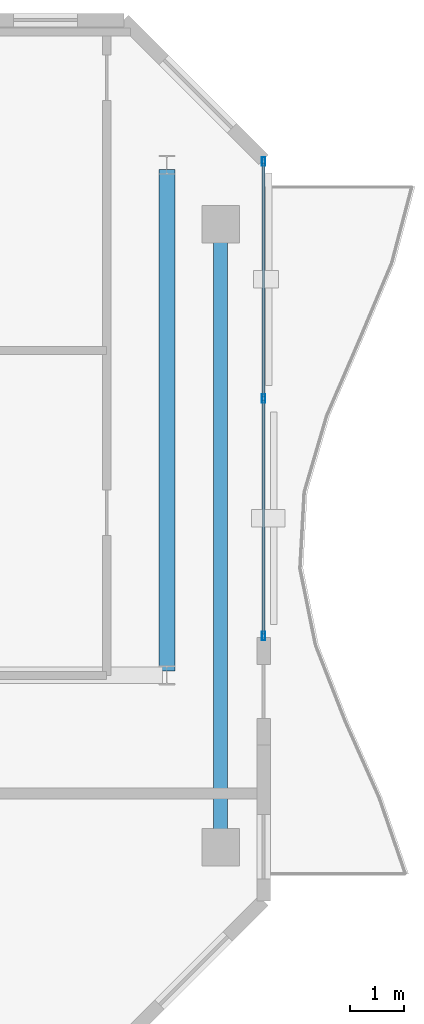
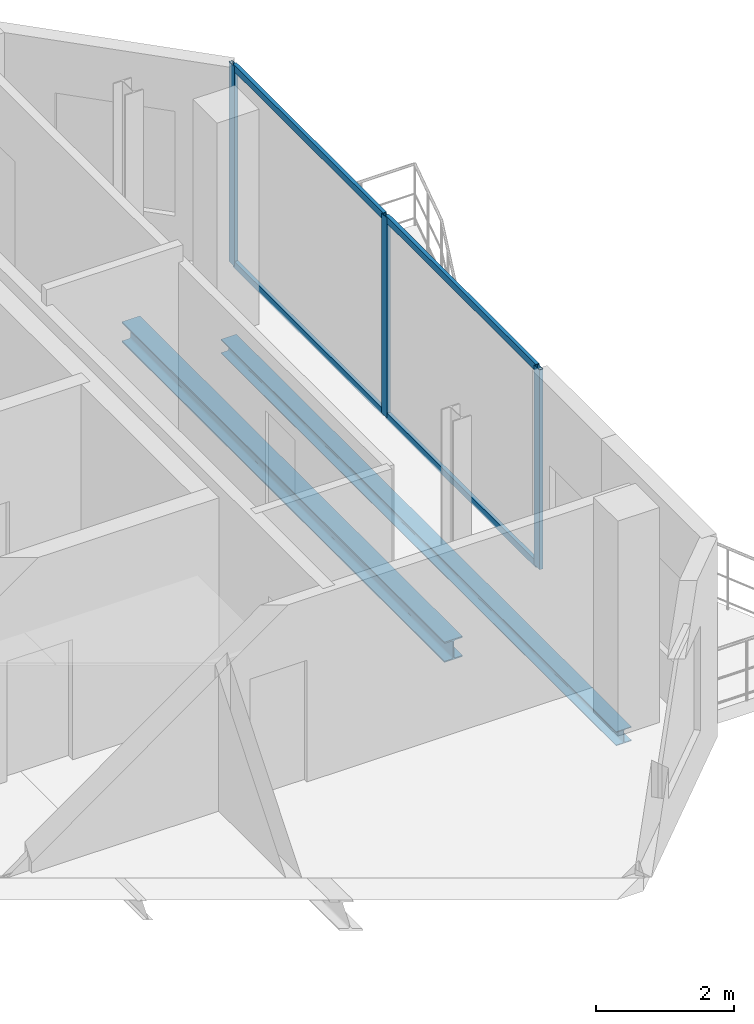
# One storey, part 11 of 17: 7 members, 2 beams, 1 element without a shape of its own.
"""IFC4 building model written with IfcOpenShell, lengths in metres."""

from ifc_helpers import new_model, si_unit, direction, frame, origin, origin_2d, place, context, subcontext, project, spatial, hollow_rectangle, i_section, extrude, material, layer, layer_set, material_profile, profile_set, type_object, element, aggregate, save


model = new_model("IFC4")

# Units and contexts
model_context = context("Model", 3, precision=1e-05, world=origin(), true_north=direction((0.0, 1.0)))
body_context = subcontext(model_context, "Body", "Model", "MODEL_VIEW")
ifc_project = project(units=[si_unit("LENGTHUNIT", "METRE"), si_unit("AREAUNIT", "SQUARE_METRE"), si_unit("VOLUMEUNIT", "CUBIC_METRE"), si_unit("PLANEANGLEUNIT", "RADIAN"), si_unit("MASSUNIT", "GRAM", prefix="KILO")], contexts=[model_context])

# Site, building, storey
site_placement = place(None, origin())
site = spatial("IfcSite", under=ifc_project, at=site_placement, CompositionType="ELEMENT")
building_placement = place(site_placement, origin())
building = spatial("IfcBuilding", under=site, at=building_placement, Name="Catumbela Crestline Tower", CompositionType="ELEMENT")
storey_placement = place(building_placement, frame((0.0, 0.0, 283.0)))
storey = spatial("IfcBuildingStorey", under=building, at=storey_placement, Name="L73", CompositionType="ELEMENT", Elevation=283.0)

# Beam
ifc_material_1 = material(Name="Structural steel S355J2", Category="steel")
ifc_material_profile_1 = material_profile(ifc_material_1, i_section(OverallWidth=0.3, OverallDepth=0.36, WebThickness=0.0125, FlangeThickness=0.0225, FilletRadius=0.027, at=origin_2d()), Name="HEB 360")
ifc_profile_set_1 = profile_set([ifc_material_profile_1], Name="Structural steel S355J2")
beam_type_1 = type_object("IfcBeamType", Name="BG-HEB360", PredefinedType="BEAM", material=ifc_profile_set_1)
beam_1_placement = place(storey_placement, frame((44.2, 30.88, -0.44), z_axis=(0.0, 1.0, 0.0), x_axis=(-1.0, 0.0, 0.0)))
element("IfcBeam", 1, at=beam_1_placement, inside=storey, type_object=beam_type_1, Name="L73 Beam BM-L73-SN10", PredefinedType="BEAM", context=body_context, shape_type="SweptSolid", body=[
    extrude(i_section(OverallWidth=0.3, OverallDepth=0.36, WebThickness=0.0125, FlangeThickness=0.0225, FilletRadius=0.027, at=origin_2d()), origin(), (0.0, 0.0, 1.0), 9.34),
])

# Curtain wall, members
ifc_material_2 = material(Name="Aluminium alloy AW-6060-T66", Category="aluminium")
ifc_layer = layer(ifc_material_2, 0.18, Name="Aluminium alloy AW-6060-T66")
ifc_layer_set = layer_set([ifc_layer], Name="Aluminium alloy AW-6060-T66")
curtain_wall_type = type_object("IfcCurtainWallType", Name="CWU-Z4", PredefinedType="USERDEFINED", material=ifc_layer_set)
curtain_wall_placement = place(storey_placement, origin())
curtain_wall = element("IfcCurtainWall", 2, at=curtain_wall_placement, inside=storey, type_object=curtain_wall_type, Name="L73 Unitised Curtain Wall CW-L73-E5S2", ObjectType="UNITISED", PredefinedType="USERDEFINED")
ifc_material_profile_2 = material_profile(ifc_material_2, hollow_rectangle(XDim=0.06, YDim=0.16, WallThickness=0.004, at=origin_2d()), Name="ALU 160x60x4")
ifc_profile_set_2 = profile_set([ifc_material_profile_2], Name="Aluminium alloy AW-6060-T66")
member_type_1 = type_object("IfcMemberType", Name="MUL-160X60", PredefinedType="MULLION", material=ifc_profile_set_2)
member_1_placement = place(storey_placement, frame((46.0, 31.5325, 0.0), z_axis=(0.0, 0.0, 1.0), x_axis=(-1.0, 0.0, 0.0)))
member_1 = element("IfcMember", 3, at=member_1_placement, type_object=member_type_1, Name="CWU-Z4 mullion 1", PredefinedType="MULLION", context=body_context, shape_type="SweptSolid", body=[
    extrude(hollow_rectangle(XDim=0.06, YDim=0.16, WallThickness=0.004, at=origin_2d()), origin(), (0.0, 0.0, 1.0), 3.53),
])
member_2_placement = place(storey_placement, frame((46.0, 35.95, 0.0), z_axis=(0.0, 0.0, 1.0), x_axis=(-1.0, 0.0, 0.0)))
member_2 = element("IfcMember", 4, at=member_2_placement, type_object=member_type_1, Name="CWU-Z4 mullion 2", PredefinedType="MULLION", context=body_context, shape_type="SweptSolid", body=[
    extrude(hollow_rectangle(XDim=0.06, YDim=0.16, WallThickness=0.004, at=origin_2d()), origin(), (0.0, 0.0, 1.0), 3.53),
])
member_3_placement = place(storey_placement, frame((46.0, 40.3675, 0.0), z_axis=(0.0, 0.0, 1.0), x_axis=(-1.0, 0.0, 0.0)))
member_3 = element("IfcMember", 5, at=member_3_placement, type_object=member_type_1, Name="CWU-Z4 mullion 3", PredefinedType="MULLION", context=body_context, shape_type="SweptSolid", body=[
    extrude(hollow_rectangle(XDim=0.06, YDim=0.16, WallThickness=0.004, at=origin_2d()), origin(), (0.0, 0.0, 1.0), 3.53),
])

# Beam
ifc_material_profile_3 = material_profile(ifc_material_1, i_section(OverallWidth=0.26, OverallDepth=0.25, WebThickness=0.0075, FlangeThickness=0.0125, FilletRadius=0.024, at=origin_2d()), Name="HEA 260")
ifc_profile_set_3 = profile_set([ifc_material_profile_3], Name="Structural steel S355J2")
beam_type_2 = type_object("IfcBeamType", Name="BS-HEA260", PredefinedType="SPANDREL", material=ifc_profile_set_3)
beam_2_placement = place(storey_placement, frame((45.2, 27.68, -0.385), z_axis=(0.0, 1.0, 0.0), x_axis=(-1.0, 0.0, 0.0)))
element("IfcBeam", 6, at=beam_2_placement, inside=storey, type_object=beam_type_2, Name="L73 Spandrel SP-L73-SN11", PredefinedType="SPANDREL", context=body_context, shape_type="SweptSolid", body=[
    extrude(i_section(OverallWidth=0.26, OverallDepth=0.25, WebThickness=0.0075, FlangeThickness=0.0125, FilletRadius=0.024, at=origin_2d()), origin(), (0.0, 0.0, 1.0), 11.44),
])

# Member
ifc_material_profile_4 = material_profile(ifc_material_2, hollow_rectangle(XDim=0.06, YDim=0.12, WallThickness=0.0035, at=origin_2d()), Name="ALU 120x60x3.5")
ifc_profile_set_4 = profile_set([ifc_material_profile_4], Name="Aluminium alloy AW-6060-T66")
member_type_2 = type_object("IfcMemberType", Name="TRN-120X60", PredefinedType="USERDEFINED", material=ifc_profile_set_4)
member_4_placement = place(storey_placement, frame((46.0, 31.565, 0.03), z_axis=(0.0, 1.0, 0.0), x_axis=(-1.0, 0.0, 0.0)))
member_4 = element("IfcMember", 7, at=member_4_placement, type_object=member_type_2, Name="CWU-Z4 transom 1.1", ObjectType="TRANSOM", PredefinedType="USERDEFINED", context=body_context, shape_type="SweptSolid", body=[
    extrude(hollow_rectangle(XDim=0.06, YDim=0.12, WallThickness=0.0035, at=origin_2d()), origin(), (0.0, 0.0, 1.0), 4.3525),
])

member_5_placement = place(storey_placement, frame((46.0, 31.565, 3.5), z_axis=(0.0, 1.0, 0.0), x_axis=(-1.0, 0.0, 0.0)))
member_5 = element("IfcMember", 8, at=member_5_placement, type_object=member_type_2, Name="CWU-Z4 transom 1.2", ObjectType="TRANSOM", PredefinedType="USERDEFINED", context=body_context, shape_type="SweptSolid", body=[
    extrude(hollow_rectangle(XDim=0.06, YDim=0.12, WallThickness=0.0035, at=origin_2d()), origin(), (0.0, 0.0, 1.0), 4.3525),
])

member_6_placement = place(storey_placement, frame((46.0, 35.9825, 0.03), z_axis=(0.0, 1.0, 0.0), x_axis=(-1.0, 0.0, 0.0)))
member_6 = element("IfcMember", 9, at=member_6_placement, type_object=member_type_2, Name="CWU-Z4 transom 2.1", ObjectType="TRANSOM", PredefinedType="USERDEFINED", context=body_context, shape_type="SweptSolid", body=[
    extrude(hollow_rectangle(XDim=0.06, YDim=0.12, WallThickness=0.0035, at=origin_2d()), origin(), (0.0, 0.0, 1.0), 4.3525),
])

member_7_placement = place(storey_placement, frame((46.0, 35.9825, 3.5), z_axis=(0.0, 1.0, 0.0), x_axis=(-1.0, 0.0, 0.0)))
member_7 = element("IfcMember", 10, at=member_7_placement, type_object=member_type_2, Name="CWU-Z4 transom 2.2", ObjectType="TRANSOM", PredefinedType="USERDEFINED", context=body_context, shape_type="SweptSolid", body=[
    extrude(hollow_rectangle(XDim=0.06, YDim=0.12, WallThickness=0.0035, at=origin_2d()), origin(), (0.0, 0.0, 1.0), 4.3525),
])

aggregate(curtain_wall, [member_1, member_2, member_3, member_4, member_5, member_6, member_7])

save(model, "model.ifc")
